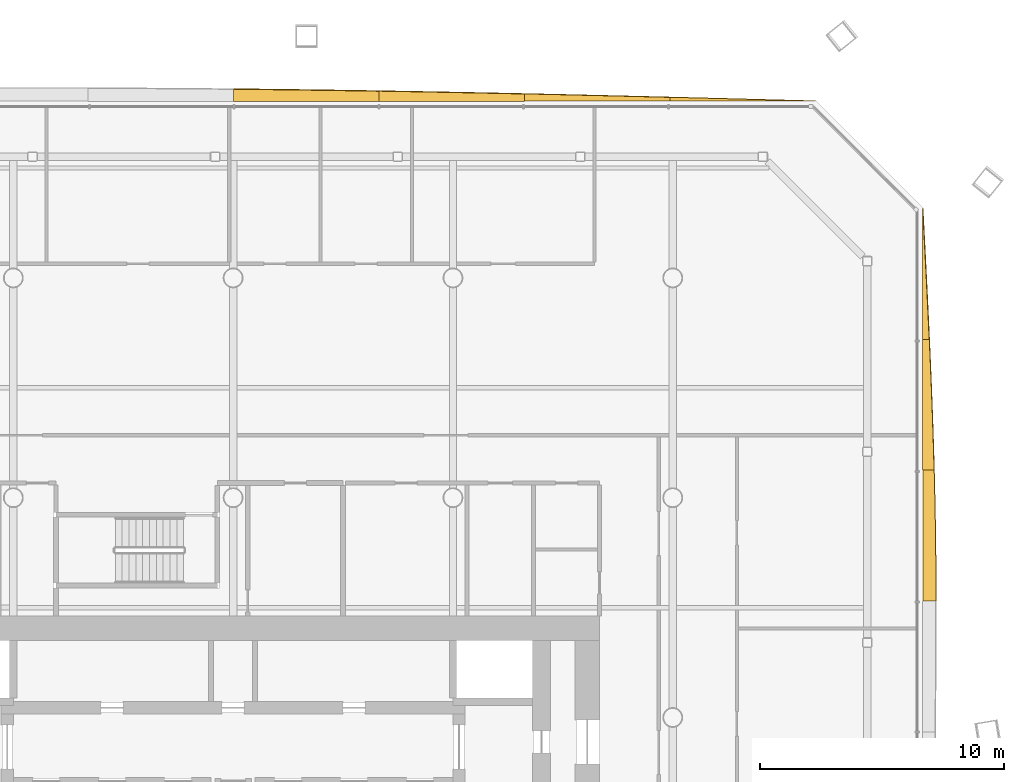
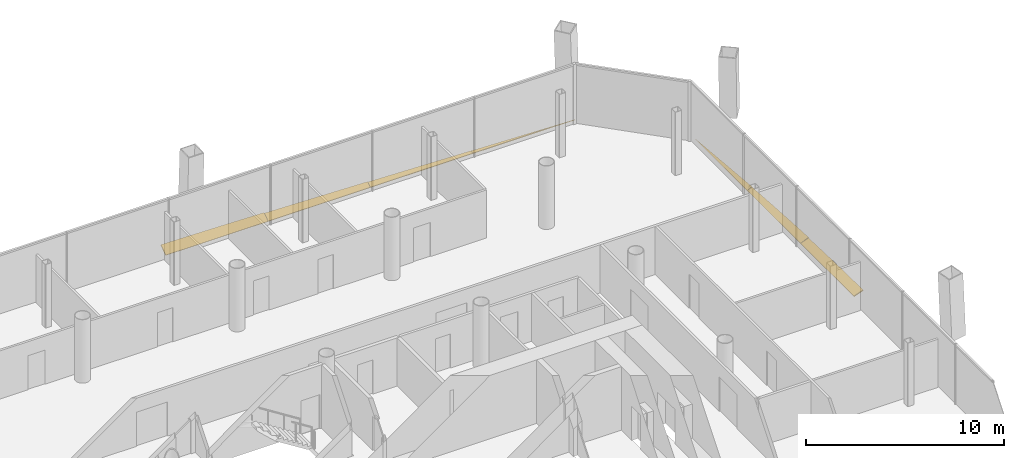
# One storey, part 19 of 19: 7 shading devices.
"""IFC4 building model written with IfcOpenShell, lengths in metres."""

from ifc_helpers import new_model, si_unit, direction, frame, origin, place, context, subcontext, project, spatial, polyline, outline, extrude, material, layer, layer_set, type_object, element, save


model = new_model("IFC4")

# Units and contexts
model_context = context("Model", 3, precision=1e-05, world=origin(), true_north=direction((0.0, 1.0)))
body_context = subcontext(model_context, "Body", "Model", "MODEL_VIEW")
ifc_project = project(units=[si_unit("LENGTHUNIT", "METRE"), si_unit("AREAUNIT", "SQUARE_METRE"), si_unit("VOLUMEUNIT", "CUBIC_METRE"), si_unit("PLANEANGLEUNIT", "RADIAN"), si_unit("MASSUNIT", "GRAM", prefix="KILO")], contexts=[model_context])

# Site, building, storey
site_placement = place(None, origin())
site = spatial("IfcSite", under=ifc_project, at=site_placement, CompositionType="ELEMENT")
building_placement = place(site_placement, origin())
building = spatial("IfcBuilding", under=site, at=building_placement, Name="Tskaro Facet Tower", CompositionType="ELEMENT")
storey_placement = place(building_placement, frame((0.0, 0.0, 77.699951171875)))
storey = spatial("IfcBuildingStorey", under=building, at=storey_placement, Name="L18", CompositionType="ELEMENT", Elevation=77.699951171875)

# Shading devices
ifc_material = material(Name="Bronze anodised aluminium 6063-T6", Category="aluminium")
ifc_layer = layer(ifc_material, 0.06005859375, Name="Bronze anodised aluminium 6063-T6")
ifc_layer_set = layer_set([ifc_layer], Name="Bronze anodised aluminium 6063-T6")
shading_device_type = type_object("IfcShadingDeviceType", Name="Bronze sun blade (FN1)", PredefinedType="USERDEFINED", material=ifc_layer_set)
shading_device_1_placement = place(storey_placement, frame((28.240478515625, 4.763916015625, 0.056396484375), z_axis=(-0.342100289691, -4.261265e-06, 0.939663446014), x_axis=(-1.45778e-06, 0.999999999991, 4.004155e-06)))
element("IfcShadingDevice", 1, at=shading_device_1_placement, inside=storey, type_object=shading_device_type, Name="Fin blade east 6", ObjectType="FIN", PredefinedType="USERDEFINED", context=body_context, shape_type="SweptSolid", body=[
    extrude(outline(polyline([(0.0, 0.0), (5.361328124951323, -1.1353053907290305e-21), (5.361328125308362, -0.49290352961026407), (4.691162109571541, -0.5108208355228415), (4.020996093749214, -0.5266522995317902), (3.350830078197287, -0.5401685116161082), (2.680664062559856, -0.5515988817967976), (2.010498046215247, -0.5606304794743179), (1.3403320311186142, -0.5674303458057463), (0.670166015670707, -0.5716020296130039), (1.3729569812887755e-10, -0.5736878715166327), (0.0, 0.0)])), origin(), (0.0, 0.0, -1.0), 0.06005859375),
])
shading_device_2_placement = place(storey_placement, frame((28.235595703125, 10.125244140625, 0.054443359375), z_axis=(-0.422633740502, 6.186694e-06, 0.90630056899), x_axis=(2.614706e-06, 0.999999999981, -5.607004e-06)))
element("IfcShadingDevice", 2, at=shading_device_2_placement, inside=storey, type_object=shading_device_type, Name="Fin blade east 7", ObjectType="FIN", PredefinedType="USERDEFINED", context=body_context, shape_type="SweptSolid", body=[
    extrude(outline(polyline([(0.0, 0.0), (5.361328124897397, 2.270610781458061e-21), (5.361328124574802, -0.2939195543716542), (4.691162110183782, -0.32669205410002866), (4.020996093331524, -0.35803378303871747), (3.3508300773941784, -0.3879596418439674), (2.68066406173339, -0.4162483657284234), (2.010498047718058, -0.4427967726265311), (1.3403320319720287, -0.46758996188204377), (0.6701660152258455, -0.49030348664205187), (-5.132385715206473e-10, -0.5110554296283565), (0.0, 0.0)])), origin(), (0.0, 0.0, -1.0), 0.06005859375),
])
shading_device_3_placement = place(storey_placement, frame((28.23095703125, 15.486572265625, 0.052001953125), z_axis=(-0.499999574133, 4.488349e-06, 0.866025649647), x_axis=(2.244172e-06, 0.99999999999, -3.887025e-06)))
element("IfcShadingDevice", 3, at=shading_device_3_placement, inside=storey, type_object=shading_device_type, Name="Fin blade east 8", ObjectType="FIN", PredefinedType="USERDEFINED", context=body_context, shape_type="SweptSolid", body=[
    extrude(outline(polyline([(0.0, 0.0), (5.361328124945998, 0.0), (4.691162109860121, -0.040244539301782525), (4.0209960942263505, -0.080277646560192), (3.350830077496793, -0.11988788973185537), (2.680664062117304, -0.15904256044308626), (2.0104980465910076, -0.19765229685904134), (1.340332031318992, -0.23538359672781786), (0.6701660157533629, -0.2720250280060427), (-1.0587933454047892e-10, -0.307576590693716), (0.0, 0.0)])), origin(), (0.0, 0.0, -1.0), 0.06005859375),
])
shading_device_4_placement = place(storey_placement, frame((23.847900390625, 25.240478515625, 0.056396484375), z_axis=(-2.109213e-06, -0.342407044116, 0.939551710198), x_axis=(-0.999999999998, 7.22209e-07, -1.981714e-06)))
element("IfcShadingDevice", 4, at=shading_device_4_placement, inside=storey, type_object=shading_device_type, Name="Fin blade north 1", ObjectType="FIN", PredefinedType="USERDEFINED", context=body_context, shape_type="SweptSolid", body=[
    extrude(outline(polyline([(0.0, 0.0), (5.956542968736751, 0.0), (5.956542968762303, -0.16473921178163956), (5.211914062484146, -0.14473606751390325), (4.467285156513487, -0.12441994503466387), (3.7226562498826894, -0.10395803528343163), (2.9782714843607088, -0.0834125300624443), (2.2336425780374074, -0.06263764209970898), (1.4890136717141063, -0.04186275413697369), (0.7443847656983016, -0.020774887962735307), (0.0, 0.0)])), origin(), (0.0, 0.0, -1.0), 0.06005859375),
])
shading_device_5_placement = place(storey_placement, frame((17.891357421875, 25.235595703125, 0.054443359375), z_axis=(-1.99342e-06, -0.422705723993, 0.906266997578), x_axis=(-0.999999999998, 8.4263e-07, -1.806571e-06)))
element("IfcShadingDevice", 5, at=shading_device_5_placement, inside=storey, type_object=shading_device_type, Name="Fin blade north 2", ObjectType="FIN", PredefinedType="USERDEFINED", context=body_context, shape_type="SweptSolid", body=[
    extrude(outline(polyline([(0.0, 0.0), (5.956542968738165, 0.0), (5.956542968814462, -0.32756221058640267), (5.2119140626908, -0.30921437391568746), (4.4672851561556985, -0.29042402406256007), (3.722900390480933, -0.2713092179785797), (2.9782714844165046, -0.2518699556637463), (2.2336425781463563, -0.23220943675770686), (1.489013671905825, -0.21200320502960832), (0.7443847654595731, -0.1915757167103037), (7.93783476354555e-11, -0.17104502875135214), (0.0, 0.0)])), origin(), (0.0, 0.0, -1.0), 0.06005859375),
])
shading_device_6_placement = place(storey_placement, frame((11.934814453125, 25.23095703125, 0.052001953125), z_axis=(-1.102478e-06, -0.500057212902, 0.865992369379), x_axis=(-0.999999999999, 5.51302e-07, -9.54738e-07)))
element("IfcShadingDevice", 6, at=shading_device_6_placement, inside=storey, type_object=shading_device_type, Name="Fin blade north 3", ObjectType="FIN", PredefinedType="USERDEFINED", context=body_context, shape_type="SweptSolid", body=[
    extrude(outline(polyline([(0.0, 0.0), (5.95654296874638, 0.0), (5.9565429687884714, -0.47755054393265794), (5.211914062398083, -0.4626825478476461), (4.467285156204684, -0.4471475353650353), (3.7229003906001865, -0.43106759076531953), (2.9782714843345874, -0.4144427140484987), (2.2336425780328883, -0.39727290521457287), (1.4890136720627747, -0.3796475039013537), (0.7446289063138749, -0.3613878308332178), (3.847034440936777e-11, -0.3427946495662824), (0.0, 0.0)])), origin(), (0.0, 0.0, -1.0), 0.06005859375),
])
shading_device_7_placement = place(storey_placement, frame((5.978271484375, 25.2265625, 0.04931640625), z_axis=(-2.184734e-06, -0.573418362816, 0.81926270584), x_axis=(-0.999999999998, 1.252767e-06, -1.789871e-06)))
element("IfcShadingDevice", 7, at=shading_device_7_placement, inside=storey, type_object=shading_device_type, Name="Fin blade north 4", ObjectType="FIN", PredefinedType="USERDEFINED", context=body_context, shape_type="SweptSolid", body=[
    extrude(outline(polyline([(0.0, 0.0), (5.956542968735785, 0.0), (5.95654296866483, -0.6049635709040782), (5.211914062811043, -0.5950031924860096), (4.467529296664701, -0.5844427681408106), (3.722900390592598, -0.5730623290250705), (2.9782714844769025, -0.5608018545472303), (2.233642577880633, -0.547801339424775), (1.4890136718524734, -0.5343208195583068), (0.7446289064057195, -0.5199602643297386), (-1.4660679946027622e-10, -0.5048596684565553), (0.0, 0.0)])), origin(), (0.0, 0.0, -1.0), 0.06005859375),
])

save(model, "model.ifc")
